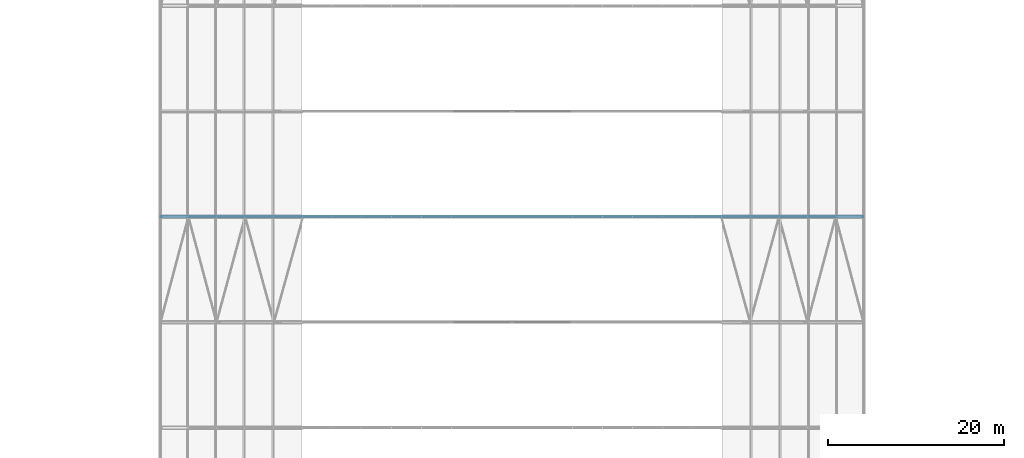
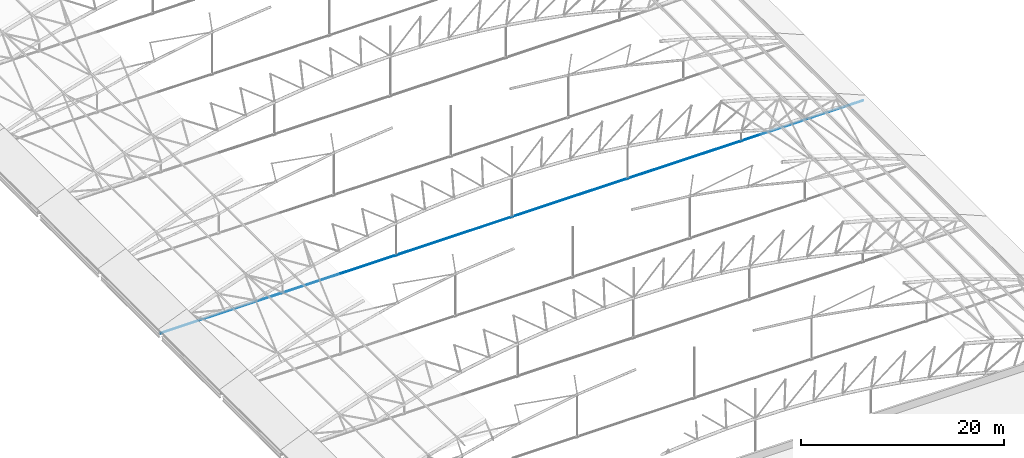
# One storey, part 64 of 321: 1 member.
"""IFC4 building model written with IfcOpenShell, lengths in metres."""

from ifc_helpers import new_model, si_unit, direction, frame, origin, origin_2d, place, context, subcontext, project, spatial, circle, extrude, material, material_profile, profile_set, type_object, element, save


model = new_model("IFC4")

# Units and contexts
model_context = context("Model", 3, precision=1e-05, world=origin(), true_north=direction((0.0, 1.0)))
body_context = subcontext(model_context, "Body", "Model", "MODEL_VIEW")
ifc_project = project(units=[si_unit("LENGTHUNIT", "METRE"), si_unit("AREAUNIT", "SQUARE_METRE"), si_unit("VOLUMEUNIT", "CUBIC_METRE"), si_unit("PLANEANGLEUNIT", "RADIAN"), si_unit("MASSUNIT", "GRAM", prefix="KILO")], contexts=[model_context])

# Site, building, storey
site_placement = place(None, origin())
site = spatial("IfcSite", under=ifc_project, at=site_placement, CompositionType="ELEMENT")
building_placement = place(site_placement, origin())
building = spatial("IfcBuilding", under=site, at=building_placement, Name="Ravi Spectrum Wholesale Market", CompositionType="ELEMENT")
storey_placement = place(building_placement, frame((0.0, 0.0, 10.800048828125)))
storey = spatial("IfcBuildingStorey", under=building, at=storey_placement, Name="L02", CompositionType="ELEMENT", Elevation=10.800048828125)

# Member
ifc_material = material(Name="Steel S460", Category="steel")
ifc_material_profile = material_profile(ifc_material, circle(Radius=0.044921875, at=origin_2d()))
ifc_profile_set = profile_set([ifc_material_profile], Name="Steel S460")
member_type = type_object("IfcMemberType", Name="ROD 90 tie", PredefinedType="BRACE", material=ifc_profile_set)
member_placement = place(storey_placement, frame((30.0, 78.0, 0.0), z_axis=(1.0, 0.0, 0.0), x_axis=(0.0, 1.0, 0.0)))
element("IfcMember", 1, at=member_placement, inside=storey, type_object=member_type, Name="H1-MB-L02-418", PredefinedType="BRACE", context=body_context, shape_type="SweptSolid", body=[
    extrude(circle(Radius=0.044921875, at=origin_2d()), origin(), (0.0, 0.0, 1.0), 80.0),
])

save(model, "model.ifc")
